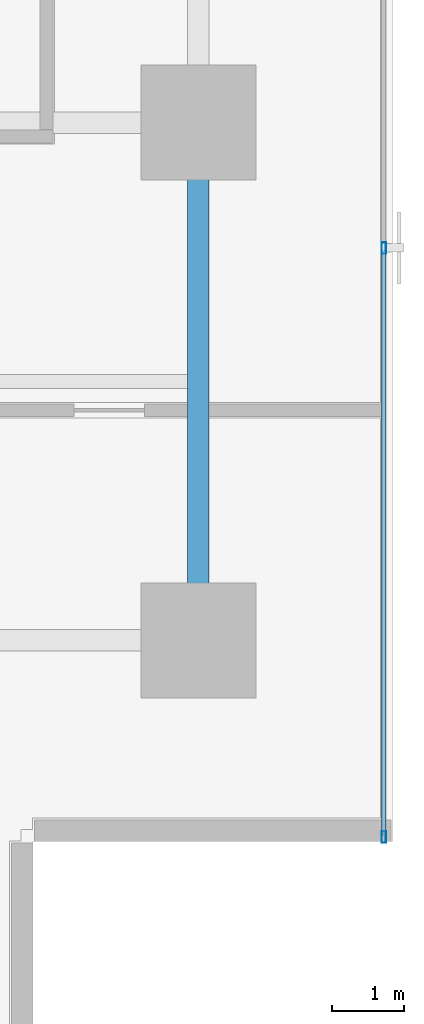
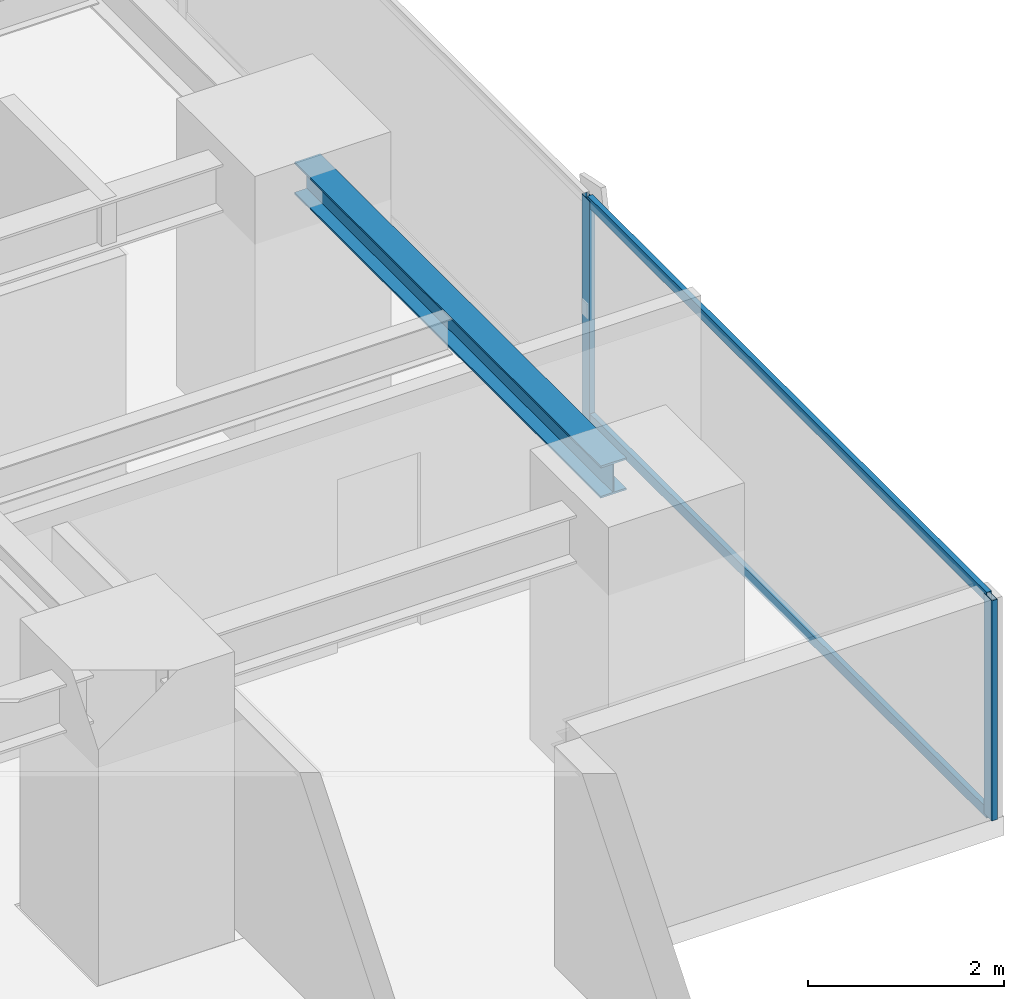
# One storey, part 14 of 36: 4 members, 1 beam, 1 element without a shape of its own.
"""IFC4 building model written with IfcOpenShell, lengths in metres."""

from ifc_helpers import new_model, si_unit, direction, frame, origin, origin_2d, place, context, subcontext, project, spatial, hollow_rectangle, i_section, extrude, source, transform, mapped, material, layer, layer_set, material_profile, profile_set, type_object, element, aggregate, save


model = new_model("IFC4")

# Units and contexts
model_context = context("Model", 3, precision=1e-05, world=origin(), true_north=direction((0.0, 1.0)))
body_context = subcontext(model_context, "Body", "Model", "MODEL_VIEW")
ifc_project = project(units=[si_unit("LENGTHUNIT", "METRE"), si_unit("AREAUNIT", "SQUARE_METRE"), si_unit("VOLUMEUNIT", "CUBIC_METRE"), si_unit("PLANEANGLEUNIT", "RADIAN"), si_unit("MASSUNIT", "GRAM", prefix="KILO")], contexts=[model_context])

# Site, building, storey
site_placement = place(None, origin())
site = spatial("IfcSite", under=ifc_project, at=site_placement, CompositionType="ELEMENT")
building_placement = place(site_placement, origin())
building = spatial("IfcBuilding", under=site, at=building_placement, Name="Sumidabori Civic Tower", CompositionType="ELEMENT")
storey_placement = place(building_placement, frame((0.0, 0.0, 113.60009765625)))
storey = spatial("IfcBuildingStorey", under=building, at=storey_placement, Name="L29", CompositionType="ELEMENT", Elevation=113.60009765625)

# Beam
ifc_material_1 = material(Name="Steel SN490", Category="steel")
ifc_material_profile_1 = material_profile(ifc_material_1, i_section(OverallWidth=0.300048828125, OverallDepth=0.39990234375, WebThickness=0.013427734375, FlangeThickness=0.02392578125, at=origin_2d()), Name="HE 400 B")
ifc_profile_set_1 = profile_set([ifc_material_profile_1], Name="Steel SN490")
beam_type = type_object("IfcBeamType", Name="BM-GIRD-400", PredefinedType="BEAM", material=ifc_profile_set_1)
shared_shape_1 = source(origin(), body_context, "Body", "SweptSolid", [
    extrude(i_section(OverallWidth=0.300048828125, OverallDepth=0.39990234375, WebThickness=0.013427734375, FlangeThickness=0.02392578125, at=origin_2d()), origin(), (0.0, 0.0, 1.0), 6.239990234375),
])
beam_placement = place(storey_placement, frame((22.800048828125, -17.52001953125, 3.159912109375), z_axis=(0.0, 1.0, 0.0), x_axis=(-1.0, 0.0, 0.0)))
element("IfcBeam", 1, at=beam_placement, inside=storey, type_object=beam_type, Name="Primary Girder L29 GY-39", PredefinedType="BEAM", context=body_context, shape_type="MappedRepresentation", body=[
    mapped(shared_shape_1, transform((0.0, 0.0, 0.0), x_axis=(1.0, 0.0, 0.0), y_axis=(0.0, 1.0, 0.0), z_axis=(0.0, 0.0, 1.0), scale=1.0)),
])

# Curtain wall, members
ifc_material_2 = material(Name="Anodised Bronze Aluminium AW-6063-T6", Category="aluminium")
ifc_layer = layer(ifc_material_2, 0.179931640625, Name="Anodised Bronze Aluminium AW-6063-T6")
ifc_layer_set = layer_set([ifc_layer], Name="Anodised Bronze Aluminium AW-6063-T6")
curtain_wall_type = type_object("IfcCurtainWallType", Name="CW-SYS-3", PredefinedType="NOTDEFINED", material=ifc_layer_set)
curtain_wall_placement = place(storey_placement, origin())
curtain_wall = element("IfcCurtainWall", 2, at=curtain_wall_placement, inside=storey, type_object=curtain_wall_type, Name="Curtain Wall CW:L29:R04", PredefinedType="NOTDEFINED")
ifc_material_profile_2 = material_profile(ifc_material_2, hollow_rectangle(XDim=0.06494140625, YDim=0.159912109375, WallThickness=0.0048828125, at=origin_2d()), Name="ALU MULLION 160x65")
ifc_profile_set_2 = profile_set([ifc_material_profile_2], Name="Anodised Bronze Aluminium AW-6063-T6")
member_type_1 = type_object("IfcMemberType", Name="CW-MUL-160", PredefinedType="MULLION", material=ifc_profile_set_2)
shared_shape_2 = source(origin(), body_context, "Body", "SweptSolid", [
    extrude(hollow_rectangle(XDim=0.06494140625, YDim=0.159912109375, WallThickness=0.0048828125, at=origin_2d()), origin(), (0.0, 0.0, 1.0), 2.739990234375),
])
member_1_placement = place(storey_placement, frame((25.3798828125, -20.737548828125, 0.0), z_axis=(0.0, 0.0, 1.0), x_axis=(-1.0, 0.0, 0.0)))
member_1 = element("IfcMember", 3, at=member_1_placement, type_object=member_type_1, Name="CW-3 mullion 1", PredefinedType="MULLION", context=body_context, shape_type="MappedRepresentation", body=[
    mapped(shared_shape_2, transform((0.0, 0.0, 0.0), x_axis=(1.0, 0.0, 0.0), y_axis=(0.0, 1.0, 0.0), z_axis=(0.0, 0.0, 1.0), scale=1.0)),
])
member_2_placement = place(storey_placement, frame((25.3798828125, -12.5419921875, 0.0), z_axis=(0.0, 0.0, 1.0), x_axis=(-1.0, 0.0, 0.0)))
member_2 = element("IfcMember", 4, at=member_2_placement, type_object=member_type_1, Name="CW-3 mullion 2", PredefinedType="MULLION", context=body_context, shape_type="MappedRepresentation", body=[
    mapped(shared_shape_2, transform((0.0, 0.0, 0.0), x_axis=(1.0, 0.0, 0.0), y_axis=(0.0, 1.0, 0.0), z_axis=(0.0, 0.0, 1.0), scale=1.0)),
])
ifc_material_profile_3 = material_profile(ifc_material_2, hollow_rectangle(XDim=0.06005859375, YDim=0.1298828125, WallThickness=0.0048828125, at=origin_2d()), Name="ALU TRANSOM 130x60")
ifc_profile_set_3 = profile_set([ifc_material_profile_3], Name="Anodised Bronze Aluminium AW-6063-T6")
member_type_2 = type_object("IfcMemberType", Name="CW-TRN-130", PredefinedType="USERDEFINED", material=ifc_profile_set_3)
shared_shape_3 = source(origin(), body_context, "Body", "SweptSolid", [
    extrude(hollow_rectangle(XDim=0.06005859375, YDim=0.1298828125, WallThickness=0.0048828125, at=origin_2d()), origin(), (0.0, 0.0, 1.0), 8.130615234375),
])
member_3_placement = place(storey_placement, frame((25.3798828125, -20.705078125, 0.02978515625), z_axis=(0.0, 1.0, 0.0), x_axis=(-1.0, 0.0, 0.0)))
member_3 = element("IfcMember", 5, at=member_3_placement, type_object=member_type_2, Name="CW-3 transom 1.1", ObjectType="TRANSOM", PredefinedType="USERDEFINED", context=body_context, shape_type="MappedRepresentation", body=[
    mapped(shared_shape_3, transform((0.0, 0.0, 0.0), x_axis=(1.0, 0.0, 0.0), y_axis=(0.0, 1.0, 0.0), z_axis=(0.0, 0.0, 1.0), scale=1.0)),
])
member_4_placement = place(storey_placement, frame((25.3798828125, -20.705078125, 2.7099609375), z_axis=(0.0, 1.0, 0.0), x_axis=(-1.0, 0.0, 0.0)))
member_4 = element("IfcMember", 6, at=member_4_placement, type_object=member_type_2, Name="CW-3 transom 1.2", ObjectType="TRANSOM", PredefinedType="USERDEFINED", context=body_context, shape_type="MappedRepresentation", body=[
    mapped(shared_shape_3, transform((0.0, 0.0, 0.0), x_axis=(1.0, 0.0, 0.0), y_axis=(0.0, 1.0, 0.0), z_axis=(0.0, 0.0, 1.0), scale=1.0)),
])
aggregate(curtain_wall, [member_1, member_2, member_3, member_4])

save(model, "model.ifc")
